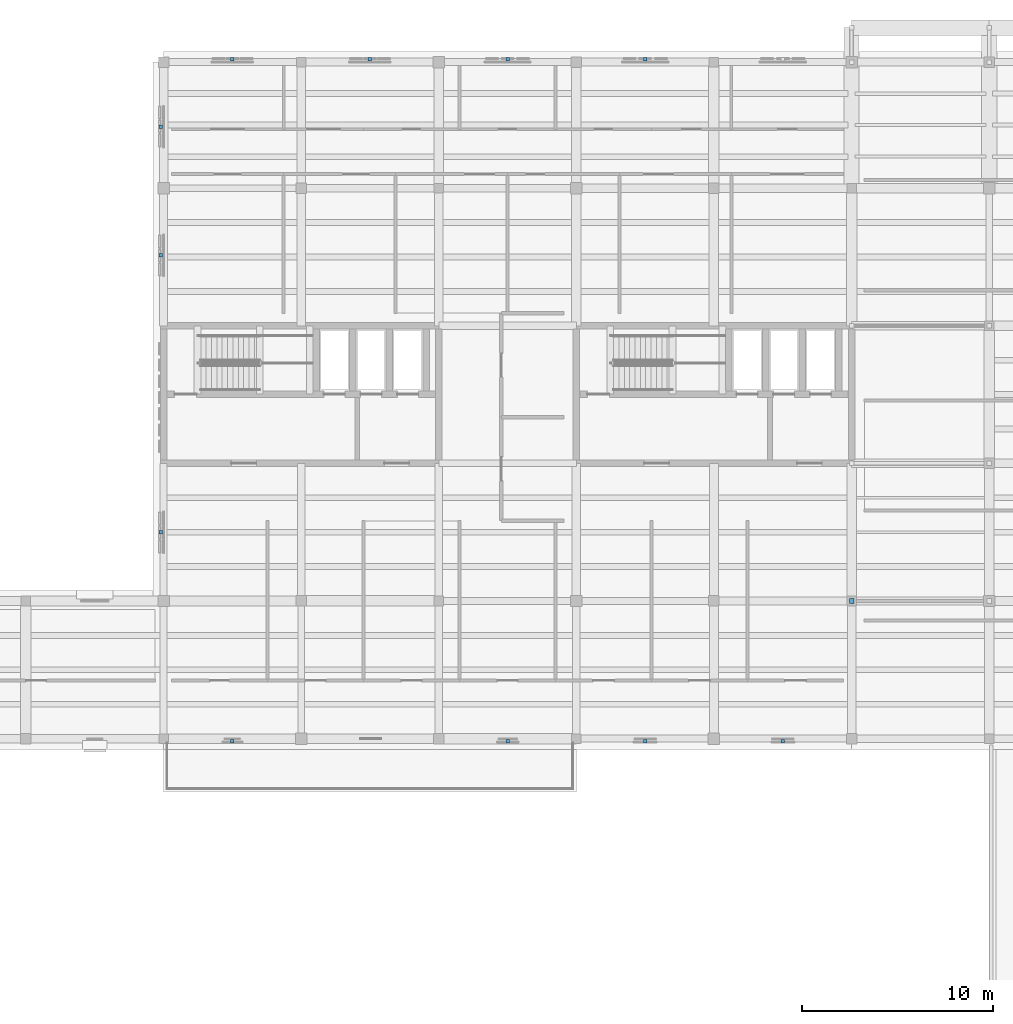
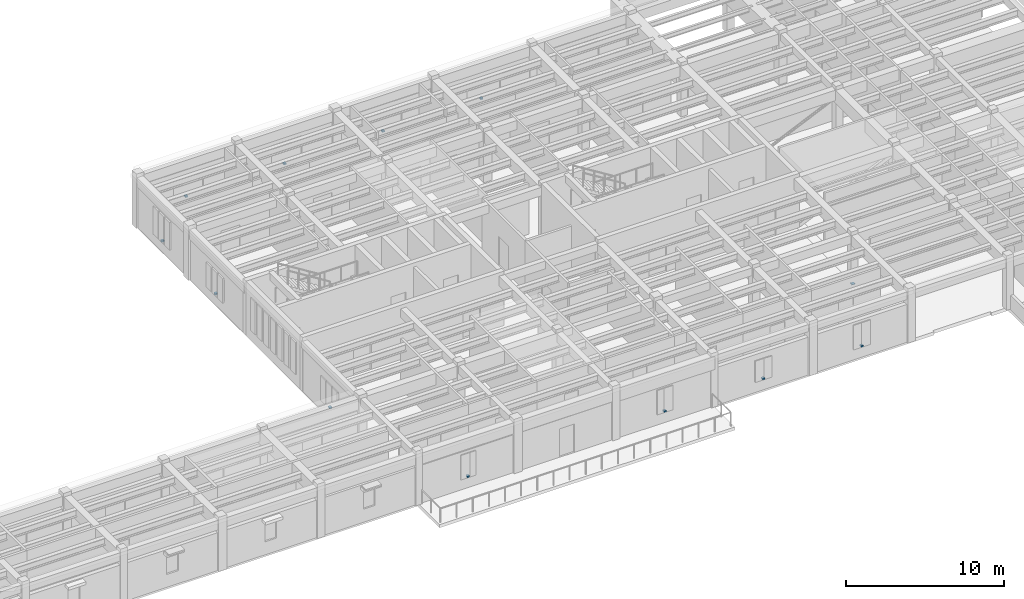
# One storey, part 18 of 22: 12 discrete accessories.
"""IFC4 building model written with IfcOpenShell, lengths in metres."""

import ifcopenshell
import ifcopenshell.guid

model = None  # the IFC model being written
_history = None  # IfcOwnerHistory: only IFC2X3 demands one
_inside = {}  # id of a spatial element -> (the spatial element, [elements in it])
_under = {}  # id of a project, library or spatial element -> (it, [spatial elements below it])
_declared = {}  # id of a project -> (the project, [libraries it declares])
_typed = {}  # id of a type object -> (the type object, [elements of that type])
_made_of = {}  # id of a material, layer set ... -> (it, [elements and type objects made of it])


def new_model(schema):
    """Start an empty IFC model of exactly this schema.

    Asked for "IFC4X3", IfcOpenShell would pick the latest addendum, in which some entities
    have other attributes; the version numbers below select the first issue.
    IFC2X3 requires an IfcOwnerHistory on every rooted entity: one is made here for all.
    """
    global model, _history
    if schema == "IFC4X3":
        model = ifcopenshell.file(schema_version=(4, 3, 0, 0))
    else:
        model = ifcopenshell.file(schema=schema)
    _inside.clear()
    _under.clear()
    _declared.clear()
    _typed.clear()
    _made_of.clear()
    _history = None
    if model.schema == "IFC2X3":
        org = make("IfcOrganization", Name="unknown")
        user = make(
            "IfcPersonAndOrganization",
            ThePerson=make("IfcPerson", FamilyName="unknown"),
            TheOrganization=org,
        )
        app = make(
            "IfcApplication",
            ApplicationDeveloper=org,
            Version="unknown",
            ApplicationFullName="unknown",
            ApplicationIdentifier="unknown",
        )
        _history = make(
            "IfcOwnerHistory",
            OwningUser=user,
            OwningApplication=app,
            ChangeAction="ADDED",
            CreationDate=0,
        )
    return model


def make(cls, **values):
    """One entity of the class cls with the attributes given. An attribute that is None is left unset."""
    return model.create_entity(
        cls, **{name: value for name, value in values.items() if value is not None}
    )


def rooted(cls, **values):
    """An entity with a GlobalId (a new one), such as an element, a storey or a relation."""
    return make(cls, GlobalId=ifcopenshell.guid.new(), OwnerHistory=_history, **values)


def si_unit(unit_type, name, prefix=None):
    """IfcSIUnit, for example si_unit("LENGTHUNIT", "METRE", prefix="MILLI")."""
    return make("IfcSIUnit", UnitType=unit_type, Prefix=prefix, Name=name)


def assignment(units):
    """IfcUnitAssignment: the units of a project."""
    return None if units is None else make("IfcUnitAssignment", Units=units)


def point(xyz):
    """IfcCartesianPoint."""
    return None if xyz is None else make("IfcCartesianPoint", Coordinates=xyz)


def direction(xyz):
    """IfcDirection."""
    return None if xyz is None else make("IfcDirection", DirectionRatios=xyz)


def frame(location, z_axis=None, x_axis=None):
    """IfcAxis2Placement3D, a coordinate frame: its origin and axes. An axis left out is left unset."""
    return make(
        "IfcAxis2Placement3D",
        Location=point(location),
        Axis=direction(z_axis),
        RefDirection=direction(x_axis),
    )


def frame_2d(location, x_axis=None):
    """IfcAxis2Placement2D, a coordinate frame in the plane: its origin and x axis."""
    return make(
        "IfcAxis2Placement2D", Location=point(location), RefDirection=direction(x_axis)
    )


def origin():
    """The frame at (0, 0, 0) with its axes left unset."""
    return frame((0.0, 0.0, 0.0))


def origin_2d():
    """The frame at (0, 0) in the plane with its x axis left unset."""
    return frame_2d((0.0, 0.0))


def place(relative_to, where):
    """IfcLocalPlacement: puts the frame where relative to a parent placement (None: the world)."""
    return make(
        "IfcLocalPlacement", PlacementRelTo=relative_to, RelativePlacement=where
    )


def context(
    kind, dimensions, precision=None, world=None, true_north=None, identifier=None
):
    """IfcGeometricRepresentationContext, for example the 3D "Model" context."""
    return make(
        "IfcGeometricRepresentationContext",
        ContextIdentifier=identifier,
        ContextType=kind,
        CoordinateSpaceDimension=dimensions,
        Precision=precision,
        WorldCoordinateSystem=world,
        TrueNorth=true_north,
    )


def subcontext(parent, identifier, kind, view, scale=None):
    """IfcGeometricRepresentationSubContext, for example "Body" below "Model"."""
    return make(
        "IfcGeometricRepresentationSubContext",
        ContextIdentifier=identifier,
        ContextType=kind,
        ParentContext=parent,
        TargetScale=scale,
        TargetView=view,
    )


def project(units=None, contexts=None):
    """IfcProject with its units and contexts."""
    return rooted(
        "IfcProject",
        Name="project",
        RepresentationContexts=contexts,
        UnitsInContext=assignment(units),
    )


def spatial(cls, under=None, at=None, **own):
    """A site, building, storey or space (cls), placed at a placement, below another one or the project."""
    s = rooted(cls, ObjectPlacement=at, **own)
    if under is not None:
        _under.setdefault(under.id(), (under, []))[1].append(s)
    return s


def profile(cls, at=None, kind="AREA", **sizes):
    """A parametric profile (cls). Its sizes go by their IFC names, for example OverallWidth=200.0."""
    return make(cls, ProfileType=kind, Position=at, **sizes)


def rectangle(**sizes):
    """IfcRectangleProfileDef."""
    return profile("IfcRectangleProfileDef", **sizes)


def extrude(swept, where, along, depth):
    """IfcExtrudedAreaSolid: the profile swept, set in the frame where, extruded along a direction by depth."""
    return make(
        "IfcExtrudedAreaSolid",
        SweptArea=swept,
        Position=where,
        ExtrudedDirection=direction(along),
        Depth=depth,
    )


def shape(context_of_items, identifier, shape_type, items):
    """IfcShapeRepresentation: the items that make up one representation, for example the "Body"."""
    return make(
        "IfcShapeRepresentation",
        ContextOfItems=context_of_items,
        RepresentationIdentifier=identifier,
        RepresentationType=shape_type,
        Items=items,
    )


def material(Name=None, Category=None):
    """IfcMaterial."""
    return make("IfcMaterial", Name=Name, Category=Category)


def made_of(thing, what):
    """Note that an element or type object is made of a material, layer set ...; save() writes the relation."""
    if what is not None:
        _made_of.setdefault(what.id(), (what, []))[1].append(thing)
    return thing


def type_object(cls, material=None, **own):
    """A type object (cls), such as IfcWallType, which elements share."""
    return made_of(rooted(cls, **own), material)


def element(
    cls,
    number,
    at=None,
    inside=None,
    cuts=None,
    type_object=None,
    material=None,
    context=None,
    identifier="Body",
    shape_type=None,
    held_by="IfcProductDefinitionShape",
    body=None,
    shapes=None,
    **own,
):
    """One element of the class cls, such as IfcWall. Its Tag is "e" and its number.

    at: its placement. inside: the storey or other place that contains it. cuts: it is an
    opening in that element (IfcRelVoidsElement). A single representation is given by context,
    identifier, shape_type and body (its items); several are given by shapes. held_by: the class
    of the entity that holds the representations. save() writes the other relations.
    """
    e = rooted(cls, Tag="e%d" % number, ObjectPlacement=at, **own)
    if body is not None:
        shapes = [shape(context, identifier, shape_type, body)]
    if shapes is not None:
        e.Representation = make(held_by, Representations=shapes)
    if inside is not None:
        _inside.setdefault(inside.id(), (inside, []))[1].append(e)
    if cuts is not None:
        rooted(
            "IfcRelVoidsElement", RelatingBuildingElement=cuts, RelatedOpeningElement=e
        )
    if type_object is not None:
        _typed.setdefault(type_object.id(), (type_object, []))[1].append(e)
    return made_of(e, material)


def aggregate(whole, parts):
    """IfcRelAggregates: a whole, such as a stair, and the parts it consists of."""
    return rooted("IfcRelAggregates", RelatingObject=whole, RelatedObjects=parts)


def save(model, path):
    """Write the relations noted so far, then the file.

    IfcRelAggregates (storeys below a building ...), IfcRelContainedInSpatialStructure (elements
    in a storey), IfcRelDefinesByType, IfcRelAssociatesMaterial and IfcRelDeclares: one each for
    every whole, place, type object, material and project.
    """
    for whole, parts in _under.values():
        aggregate(whole, parts)
    for where, things in _inside.values():
        rooted(
            "IfcRelContainedInSpatialStructure",
            RelatedElements=things,
            RelatingStructure=where,
        )
    for kind, things in _typed.values():
        rooted("IfcRelDefinesByType", RelatedObjects=things, RelatingType=kind)
    for what, things in _made_of.values():
        rooted("IfcRelAssociatesMaterial", RelatedObjects=things, RelatingMaterial=what)
    for by, libraries in _declared.values():
        rooted("IfcRelDeclares", RelatingContext=by, RelatedDefinitions=libraries)
    model.write(path)


model = new_model("IFC4")

# Units and contexts
model_context = context("Model", 3, precision=1e-05, world=origin(), true_north=direction((0.0, 1.0)))
body_context = subcontext(model_context, "Body", "Model", "MODEL_VIEW")
ifc_project = project(units=[si_unit("LENGTHUNIT", "METRE"), si_unit("AREAUNIT", "SQUARE_METRE"), si_unit("VOLUMEUNIT", "CUBIC_METRE"), si_unit("PLANEANGLEUNIT", "RADIAN"), si_unit("MASSUNIT", "GRAM", prefix="KILO")], contexts=[model_context])

# Site, building, storey
site_placement = place(None, origin())
site = spatial("IfcSite", under=ifc_project, at=site_placement, CompositionType="ELEMENT")
building_placement = place(site_placement, origin())
building = spatial("IfcBuilding", under=site, at=building_placement, Name="Mithqara Police Headquarters", CompositionType="ELEMENT")
storey_placement = place(building_placement, frame((0.0, 0.0, 22.199951171875)))
storey = spatial("IfcBuildingStorey", under=building, at=storey_placement, Name="L05", CompositionType="ELEMENT", Elevation=22.199951171875)

# Discrete accessories
ifc_material = material(Name="Steel S355JR", Category="steel")
discrete_accessory_type_1 = type_object("IfcDiscreteAccessoryType", Name="END CONN PLATE", PredefinedType="BRACKET", material=ifc_material)
discrete_accessory_placement = place(storey_placement, frame((144.60009765625, 85.800048828125, -0.011962890625), z_axis=(0.0, 0.0, 1.0), x_axis=(1.0, 0.0, 0.0)))
element("IfcDiscreteAccessory", 1, at=discrete_accessory_placement, inside=storey, type_object=discrete_accessory_type_1, Name="Brace End Connection Plate 59A", PredefinedType="BRACKET", context=body_context, shape_type="SweptSolid", body=[
    extrude(rectangle(XDim=0.239990234375, YDim=0.239990234375, at=origin_2d()), origin(), (0.0, 0.0, 1.0), 0.02392578125),
])
discrete_accessory_type_2 = type_object("IfcDiscreteAccessoryType", Name="SCREEN BRACKET SS", PredefinedType="BRACKET", material=ifc_material)
for number, where, z_axis, x_axis, name in (
    (2, (112.199951171875, 78.449951171875, 0.85009765625), (0.0, 0.0, 1.0), (1.0, 0.0, 0.0), "L05 Stone Screen Support Bracket 4.1"),
    (3, (126.60009765625, 78.449951171875, 0.85009765625), (0.0, 0.0, 1.0), (1.0, 0.0, 0.0), "L05 Stone Screen Support Bracket 4.3"),
    (4, (133.800048828125, 78.449951171875, 0.85009765625), (0.0, 0.0, 1.0), (1.0, 0.0, 0.0), "L05 Stone Screen Support Bracket 4.4"),
    (5, (141.0, 78.449951171875, 0.85009765625), (0.0, 0.0, 1.0), (1.0, 0.0, 0.0), "L05 Stone Screen Support Bracket 4.5"),
    (6, (112.199951171875, 114.14990234375, 0.85009765625), (0.0, 0.0, 1.0), (1.0, 0.0, 0.0), "L05 Stone Screen Support Bracket 8.1"),
    (7, (119.39990234375, 114.14990234375, 0.85009765625), (0.0, 0.0, 1.0), (1.0, 0.0, 0.0), "L05 Stone Screen Support Bracket 8.2"),
    (8, (126.60009765625, 114.14990234375, 0.85009765625), (0.0, 0.0, 1.0), (1.0, 0.0, 0.0), "L05 Stone Screen Support Bracket 8.3"),
    (9, (133.800048828125, 114.14990234375, 0.85009765625), (0.0, 0.0, 1.0), (1.0, 0.0, 0.0), "L05 Stone Screen Support Bracket 8.4"),
    (10, (108.449951171875, 103.885009765625, 0.85009765625), (0.0, 0.0, 1.0), (0.0, 1.0, 0.0), "L05 Stone Screen Support Bracket 9.1"),
    (11, (108.449951171875, 110.625, 0.85009765625), (0.0, 0.0, 1.0), (0.0, 1.0, 0.0), "L05 Stone Screen Support Bracket 9.2"),
    (12, (108.449951171875, 89.389892578125, 0.85009765625), (0.0, 0.0, 1.0), (0.0, 1.0, 0.0), "L05 Stone Screen Support Bracket 9.1"),
):
    element("IfcDiscreteAccessory", number, at=place(storey_placement, frame(where, z_axis=z_axis, x_axis=x_axis)), inside=storey, type_object=discrete_accessory_type_2, Name=name, PredefinedType="BRACKET", context=body_context, shape_type="SweptSolid", body=[
        extrude(rectangle(XDim=0.179931640625, YDim=0.179931640625, at=origin_2d()), origin(), (0.0, 0.0, 1.0), 0.1201171875),
    ])

save(model, "model.ifc")
